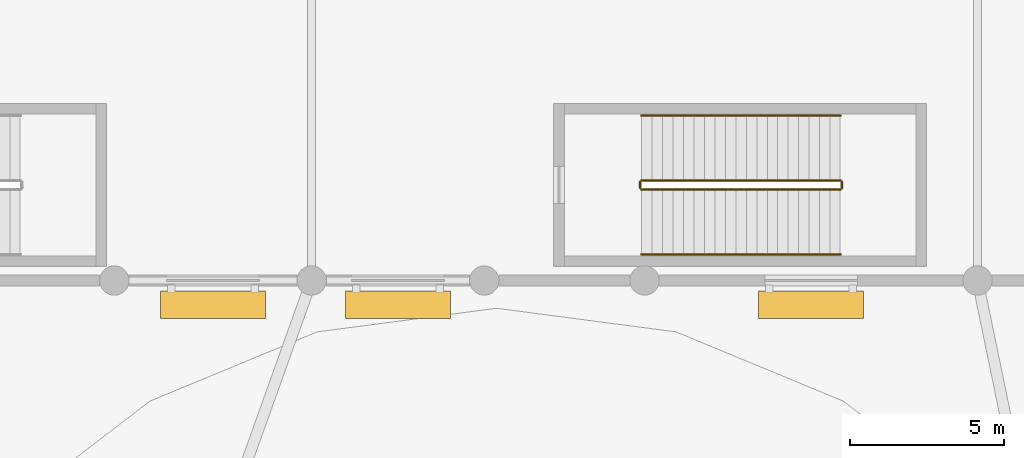
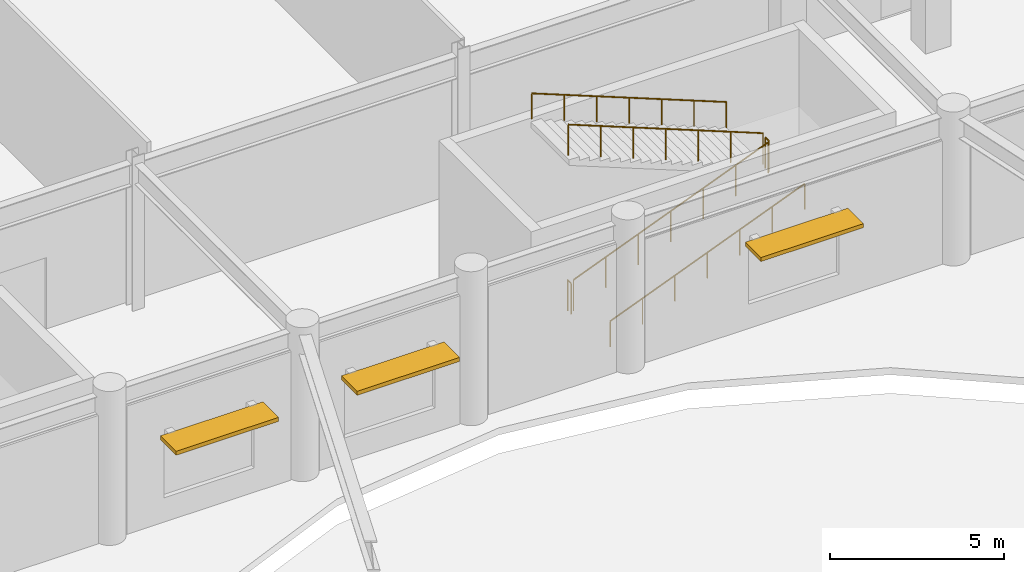
# One storey, part 50 of 54: 6 railings, 3 shading devices.
"""IFC4 building model written with IfcOpenShell, lengths in metres."""

from ifc_helpers import new_model, si_unit, direction, frame, origin, origin_2d, place, context, subcontext, project, spatial, rectangle, circle, extrude, material, type_object, element, save


model = new_model("IFC4")

# Units and contexts
model_context = context("Model", 3, precision=1e-05, world=origin(), true_north=direction((0.0, 1.0)))
body_context = subcontext(model_context, "Body", "Model", "MODEL_VIEW")
ifc_project = project(units=[si_unit("LENGTHUNIT", "METRE"), si_unit("AREAUNIT", "SQUARE_METRE"), si_unit("VOLUMEUNIT", "CUBIC_METRE"), si_unit("PLANEANGLEUNIT", "RADIAN"), si_unit("MASSUNIT", "GRAM", prefix="KILO")], contexts=[model_context])

# Site, building, storey
site_placement = place(None, origin())
site = spatial("IfcSite", under=ifc_project, at=site_placement, CompositionType="ELEMENT")
building_placement = place(site_placement, origin())
building = spatial("IfcBuilding", under=site, at=building_placement, Name="Veldera Park Congress Hotel", CompositionType="ELEMENT")
storey_placement = place(building_placement, origin())
storey = spatial("IfcBuildingStorey", under=building, at=storey_placement, Name="L00", CompositionType="ELEMENT", Elevation=0.0)

# Railings
ifc_material_1 = material(Name="Steel ASTM A992 Gr.50", Category="steel")
railing_type_1 = type_object("IfcRailingType", Name="GRD-ST110", PredefinedType="GUARDRAIL", material=ifc_material_1)
railing_1_placement = place(storey_placement, frame((30.699951171875, 20.35009765625, 0.135009765625)))
element("IfcRailing", 1, at=railing_1_placement, inside=storey, type_object=railing_type_1, Name="L00 ST7 stair guard 1", PredefinedType="GUARDRAIL", context=body_context, shape_type="SweptSolid", body=[
    extrude(circle(Radius=0.02392578125, at=origin_2d()), frame((0.0, 0.0, 1.076171875), z_axis=(0.929418439274, 0.0, 0.369027593462), x_axis=(0.0, 1.0, 0.0)), (0.0, 0.0, 1.0), 6.950439453125),
    extrude(circle(Radius=0.02099609375, at=origin_2d()), origin(), (0.0, 0.0, 1.0), 1.052001953125),
    extrude(circle(Radius=0.02099609375, at=origin_2d()), frame((1.07666015625, 0.0, 0.427490234375)), (0.0, 0.0, 1.0), 1.052001953125),
    extrude(circle(Radius=0.02099609375, at=origin_2d()), frame((2.1533203125, 0.0, 0.85498046875)), (0.0, 0.0, 1.0), 1.052001953125),
    extrude(circle(Radius=0.02099609375, at=origin_2d()), frame((3.22998046875, 0.0, 1.282470703125)), (0.0, 0.0, 1.0), 1.052001953125),
    extrude(circle(Radius=0.02099609375, at=origin_2d()), frame((4.306640625, 0.0, 1.7099609375)), (0.0, 0.0, 1.0), 1.052001953125),
    extrude(circle(Radius=0.02099609375, at=origin_2d()), frame((5.38330078125, 0.0, 2.137451171875)), (0.0, 0.0, 1.0), 1.052001953125),
    extrude(circle(Radius=0.02099609375, at=origin_2d()), frame((6.4599609375, 0.0, 2.56494140625)), (0.0, 0.0, 1.0), 1.052001953125),
])
railing_2_placement = place(storey_placement, frame((37.2099609375, 20.39990234375, 2.699951171875)))
element("IfcRailing", 2, at=railing_2_placement, inside=storey, type_object=railing_type_1, Name="L00 ST7 stair guard 2", PredefinedType="GUARDRAIL", context=body_context, shape_type="SweptSolid", body=[
    extrude(circle(Radius=0.02392578125, at=origin_2d()), frame((0.0, 0.0, 1.076171875), z_axis=(0.0, 1.0, 0.0), x_axis=(-1.0, 0.0, 0.0)), (0.0, 0.0, 1.0), 0.2001953125),
    extrude(circle(Radius=0.02099609375, at=origin_2d()), origin(), (0.0, 0.0, 1.0), 1.052001953125),
    extrude(circle(Radius=0.02099609375, at=origin_2d()), frame((0.0, 0.2001953125, 0.0)), (0.0, 0.0, 1.0), 1.052001953125),
])
railing_3_placement = place(storey_placement, frame((37.159912109375, 20.64990234375, 2.8349609375)))
element("IfcRailing", 3, at=railing_3_placement, inside=storey, type_object=railing_type_1, Name="L00 ST7 stair guard 3", PredefinedType="GUARDRAIL", context=body_context, shape_type="SweptSolid", body=[
    extrude(circle(Radius=0.02392578125, at=origin_2d()), frame((0.0, 0.0, 1.076171875), z_axis=(-0.929418439274, 0.0, 0.369027593462), x_axis=(0.0, -1.0, 0.0)), (0.0, 0.0, 1.0), 6.950439453125),
    extrude(circle(Radius=0.02099609375, at=origin_2d()), origin(), (0.0, 0.0, 1.0), 1.052001953125),
    extrude(circle(Radius=0.02099609375, at=origin_2d()), frame((-1.07666015625, 0.0, 0.427490234375)), (0.0, 0.0, 1.0), 1.052001953125),
    extrude(circle(Radius=0.02099609375, at=origin_2d()), frame((-2.1533203125, 0.0, 0.85498046875)), (0.0, 0.0, 1.0), 1.052001953125),
    extrude(circle(Radius=0.02099609375, at=origin_2d()), frame((-3.22998046875, 0.0, 1.282470703125)), (0.0, 0.0, 1.0), 1.052001953125),
    extrude(circle(Radius=0.02099609375, at=origin_2d()), frame((-4.306640625, 0.0, 1.7099609375)), (0.0, 0.0, 1.0), 1.052001953125),
    extrude(circle(Radius=0.02099609375, at=origin_2d()), frame((-5.38330078125, 0.0, 2.137451171875)), (0.0, 0.0, 1.0), 1.052001953125),
    extrude(circle(Radius=0.02099609375, at=origin_2d()), frame((-6.4599609375, 0.0, 2.56494140625)), (0.0, 0.0, 1.0), 1.052001953125),
])
railing_4_placement = place(storey_placement, frame((30.64990234375, 20.39990234375, 0.0)))
element("IfcRailing", 4, at=railing_4_placement, inside=storey, type_object=railing_type_1, Name="L00 ST7 stair guard 4", PredefinedType="GUARDRAIL", context=body_context, shape_type="SweptSolid", body=[
    extrude(circle(Radius=0.02392578125, at=origin_2d()), frame((0.0, 0.0, 1.076171875), z_axis=(0.0, 1.0, 0.0), x_axis=(-1.0, 0.0, 0.0)), (0.0, 0.0, 1.0), 0.2001953125),
    extrude(circle(Radius=0.02099609375, at=origin_2d()), origin(), (0.0, 0.0, 1.0), 1.052001953125),
    extrude(circle(Radius=0.02099609375, at=origin_2d()), frame((0.0, 0.2001953125, 0.0)), (0.0, 0.0, 1.0), 1.052001953125),
])
railing_type_2 = type_object("IfcRailingType", Name="HRL-920", PredefinedType="HANDRAIL", material=ifc_material_1)
railing_5_placement = place(storey_placement, frame((30.699951171875, 18.25, 0.135009765625)))
element("IfcRailing", 5, at=railing_5_placement, inside=storey, type_object=railing_type_2, Name="L00 ST7 stair handrail 1", PredefinedType="HANDRAIL", context=body_context, shape_type="SweptSolid", body=[
    extrude(circle(Radius=0.02392578125, at=origin_2d()), frame((0.0, 0.0, 0.89599609375), z_axis=(0.929418439274, 0.0, 0.369027593462), x_axis=(0.0, 1.0, 0.0)), (0.0, 0.0, 1.0), 6.950439453125),
    extrude(circle(Radius=0.02099609375, at=origin_2d()), origin(), (0.0, 0.0, 1.0), 0.871826171875),
    extrude(circle(Radius=0.02099609375, at=origin_2d()), frame((1.07666015625, 0.0, 0.427490234375)), (0.0, 0.0, 1.0), 0.871826171875),
    extrude(circle(Radius=0.02099609375, at=origin_2d()), frame((2.1533203125, 0.0, 0.85498046875)), (0.0, 0.0, 1.0), 0.871826171875),
    extrude(circle(Radius=0.02099609375, at=origin_2d()), frame((3.22998046875, 0.0, 1.282470703125)), (0.0, 0.0, 1.0), 0.871826171875),
    extrude(circle(Radius=0.02099609375, at=origin_2d()), frame((4.306640625, 0.0, 1.7099609375)), (0.0, 0.0, 1.0), 0.871826171875),
    extrude(circle(Radius=0.02099609375, at=origin_2d()), frame((5.38330078125, 0.0, 2.137451171875)), (0.0, 0.0, 1.0), 0.871826171875),
    extrude(circle(Radius=0.02099609375, at=origin_2d()), frame((6.4599609375, 0.0, 2.56494140625)), (0.0, 0.0, 1.0), 0.871826171875),
])
railing_6_placement = place(storey_placement, frame((37.159912109375, 22.75, 2.8349609375)))
element("IfcRailing", 6, at=railing_6_placement, inside=storey, type_object=railing_type_2, Name="L00 ST7 stair handrail 2", PredefinedType="HANDRAIL", context=body_context, shape_type="SweptSolid", body=[
    extrude(circle(Radius=0.02392578125, at=origin_2d()), frame((0.0, 0.0, 0.89599609375), z_axis=(-0.929418439274, 0.0, 0.369027593462), x_axis=(0.0, -1.0, 0.0)), (0.0, 0.0, 1.0), 6.950439453125),
    extrude(circle(Radius=0.02099609375, at=origin_2d()), origin(), (0.0, 0.0, 1.0), 0.871826171875),
    extrude(circle(Radius=0.02099609375, at=origin_2d()), frame((-1.07666015625, 0.0, 0.427490234375)), (0.0, 0.0, 1.0), 0.871826171875),
    extrude(circle(Radius=0.02099609375, at=origin_2d()), frame((-2.1533203125, 0.0, 0.85498046875)), (0.0, 0.0, 1.0), 0.871826171875),
    extrude(circle(Radius=0.02099609375, at=origin_2d()), frame((-3.22998046875, 0.0, 1.282470703125)), (0.0, 0.0, 1.0), 0.871826171875),
    extrude(circle(Radius=0.02099609375, at=origin_2d()), frame((-4.306640625, 0.0, 1.7099609375)), (0.0, 0.0, 1.0), 0.871826171875),
    extrude(circle(Radius=0.02099609375, at=origin_2d()), frame((-5.38330078125, 0.0, 2.137451171875)), (0.0, 0.0, 1.0), 0.871826171875),
    extrude(circle(Radius=0.02099609375, at=origin_2d()), frame((-6.4599609375, 0.0, 2.56494140625)), (0.0, 0.0, 1.0), 0.871826171875),
])

# Shading devices
ifc_material_2 = material(Name="Glulam GL28h (NDS 24F-V4)", Category="wood")
shading_device_type = type_object("IfcShadingDeviceType", Name="SHD-SHF450", PredefinedType="AWNING", material=ifc_material_2)
for number, where, z_axis, x_axis, name in (
    (7, (16.800048828125, 16.610107421875, 3.06005859375), (0.0, 0.0, 1.0), (1.0, 0.0, 0.0), "Glulam Solar Shade 18"),
    (8, (22.800048828125, 16.610107421875, 3.06005859375), (0.0, 0.0, 1.0), (1.0, 0.0, 0.0), "Glulam Solar Shade 19"),
    (9, (36.199951171875, 16.610107421875, 3.06005859375), (0.0, 0.0, 1.0), (1.0, 0.0, 0.0), "Glulam Solar Shade 20"),
):
    element("IfcShadingDevice", number, at=place(storey_placement, frame(where, z_axis=z_axis, x_axis=x_axis)), inside=storey, type_object=shading_device_type, Name=name, PredefinedType="AWNING", context=body_context, shape_type="SweptSolid", body=[
        extrude(rectangle(XDim=3.39990234375, YDim=0.89990234375, at=origin_2d()), origin(), (0.0, 0.0, 1.0), 0.139892578125),
    ])

save(model, "model.ifc")
